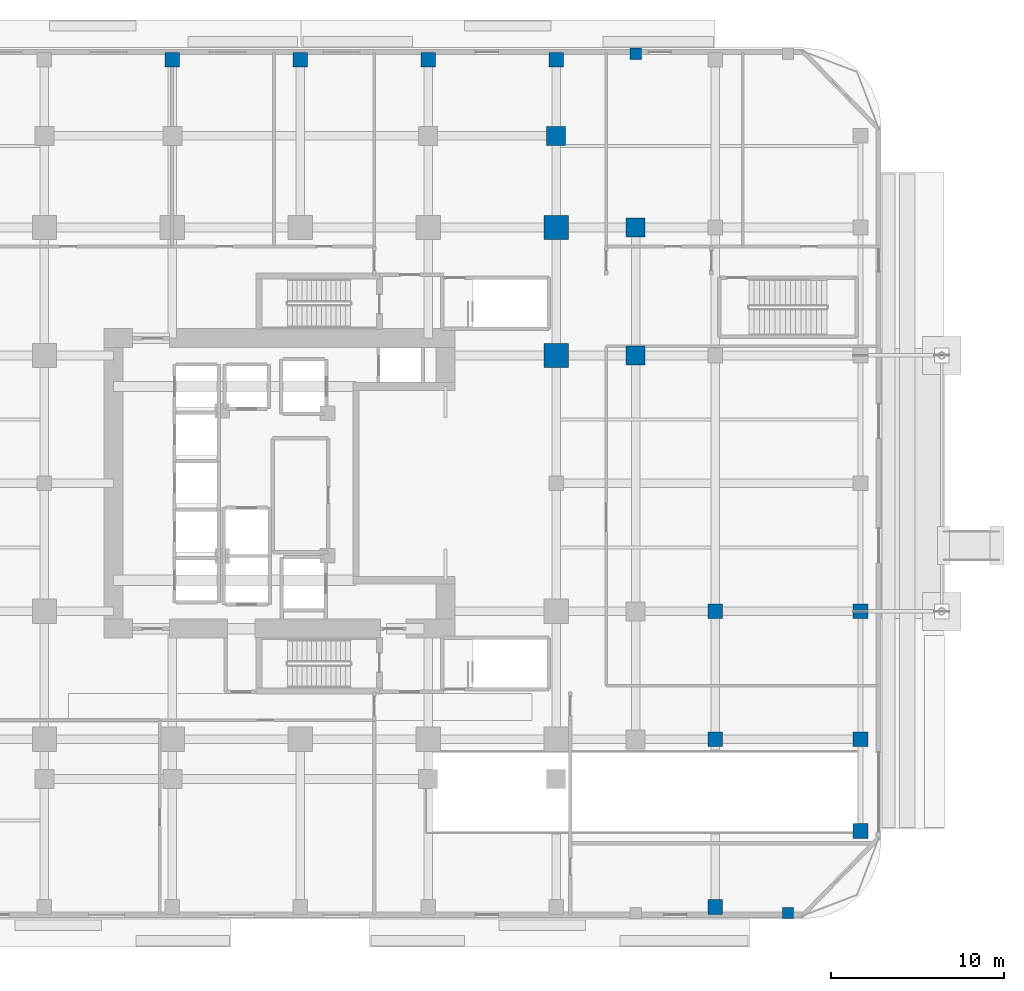
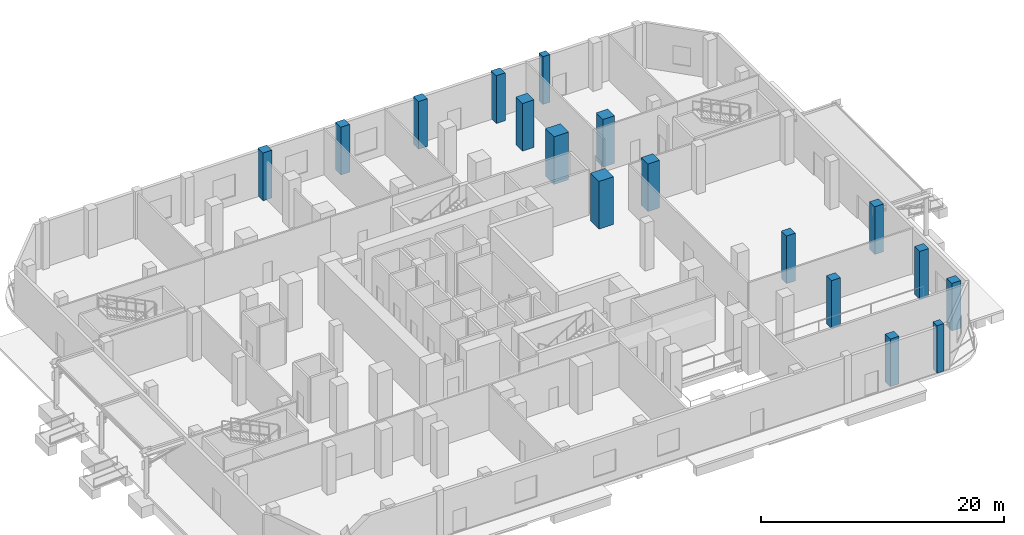
# One storey, part 5 of 24: 17 columns.
"""IFC4 building model written with IfcOpenShell, lengths in metres."""

from ifc_helpers import new_model, si_unit, direction, frame, origin, origin_2d, place, context, subcontext, project, spatial, rectangle, extrude, material, material_profile, profile_set, type_object, element, save


model = new_model("IFC4")

# Units and contexts
model_context = context("Model", 3, precision=1e-05, world=origin(), true_north=direction((0.0, 1.0)))
body_context = subcontext(model_context, "Body", "Model", "MODEL_VIEW")
ifc_project = project(units=[si_unit("LENGTHUNIT", "METRE"), si_unit("AREAUNIT", "SQUARE_METRE"), si_unit("VOLUMEUNIT", "CUBIC_METRE"), si_unit("PLANEANGLEUNIT", "RADIAN"), si_unit("MASSUNIT", "GRAM", prefix="KILO")], contexts=[model_context])

# Site, building, storey
site_placement = place(None, origin())
site = spatial("IfcSite", under=ifc_project, at=site_placement, CompositionType="ELEMENT")
building_placement = place(site_placement, origin())
building = spatial("IfcBuilding", under=site, at=building_placement, Name="Khorvyn Point Tower", CompositionType="ELEMENT")
storey_placement = place(building_placement, origin())
storey = spatial("IfcBuildingStorey", under=building, at=storey_placement, Name="L01", CompositionType="ELEMENT", Elevation=0.0)

# Columns
ifc_material_1 = material(Name="Concrete C40/50", Category="concrete")
ifc_material_profile_1 = material_profile(ifc_material_1, rectangle(XDim=0.85009765625, YDim=0.85009765625, at=origin_2d()))
ifc_profile_set_1 = profile_set([ifc_material_profile_1], Name="Concrete C40/50 RC850x850")
column_type_1 = type_object("IfcColumnType", Name="Concrete C40/50 Column RC850x850", PredefinedType="COLUMN", material=ifc_profile_set_1)
for number, where, z_axis, x_axis, name in (
    (1, (-7.39990234375, 24.5, 0.0), (0.0, 0.0, 1.0), (1.0, 0.0, 0.0), "PC-L01--074-+245"),
    (2, (0.0, 24.5, 0.0), (0.0, 0.0, 1.0), (1.0, 0.0, 0.0), "PC-L01-+000-+245"),
    (3, (7.39990234375, 24.5, 0.0), (0.0, 0.0, 1.0), (1.0, 0.0, 0.0), "PC-L01-+074-+245"),
    (4, (14.800048828125, 24.5, 0.0), (0.0, 0.0, 1.0), (1.0, 0.0, 0.0), "PC-L01-+148-+245"),
    (5, (24.0, -24.5, 0.0), (0.0, 0.0, 1.0), (1.0, 0.0, 0.0), "PC-L01-+240--245"),
    (6, (24.0, -14.800048828125, 0.0), (0.0, 0.0, 1.0), (1.0, 0.0, 0.0), "PC-L01-+240--148"),
    (7, (24.0, -7.39990234375, 0.0), (0.0, 0.0, 1.0), (1.0, 0.0, 0.0), "PC-L01-+240--074"),
    (8, (32.39990234375, -14.800048828125, 0.0), (0.0, 0.0, 1.0), (1.0, 0.0, 0.0), "PC-L01-+324--148"),
    (9, (32.39990234375, -7.39990234375, 0.0), (0.0, 0.0, 1.0), (1.0, 0.0, 0.0), "PC-L01-+324--074"),
    (10, (32.39990234375, -20.10009765625, 0.0), (0.0, 0.0, 1.0), (1.0, 0.0, 0.0), "PCR-L01-+32--20"),
):
    element("IfcColumn", number, at=place(storey_placement, frame(where, z_axis=z_axis, x_axis=x_axis)), inside=storey, type_object=column_type_1, Name=name, PredefinedType="COLUMN", context=body_context, shape_type="SweptSolid", body=[
        extrude(rectangle(XDim=0.85009765625, YDim=0.85009765625, at=origin_2d()), origin(), (0.0, 0.0, 1.0), 4.800048828125),
    ])
ifc_material_profile_2 = material_profile(ifc_material_1, rectangle(XDim=0.64990234375, YDim=0.64990234375, at=origin_2d()))
ifc_profile_set_2 = profile_set([ifc_material_profile_2], Name="Concrete C40/50 RC650x650")
column_type_2 = type_object("IfcColumnType", Name="Concrete C40/50 Pilaster RC650x650", PredefinedType="PILASTER", material=ifc_profile_set_2)
for number, where, z_axis, x_axis, name in (
    (11, (19.39990234375, 24.85009765625, 0.0), (0.0, 0.0, 1.0), (1.0, 0.0, 0.0), "L01 Colonnade Pilaster N"),
    (12, (28.199951171875, -24.85009765625, 0.0), (0.0, 0.0, 1.0), (1.0, 0.0, 0.0), "L01 Colonnade Pilaster S"),
):
    element("IfcColumn", number, at=place(storey_placement, frame(where, z_axis=z_axis, x_axis=x_axis)), inside=storey, type_object=column_type_2, Name=name, PredefinedType="PILASTER", context=body_context, shape_type="SweptSolid", body=[
        extrude(rectangle(XDim=0.64990234375, YDim=0.64990234375, at=origin_2d()), origin(), (0.0, 0.0, 1.0), 4.800048828125),
    ])
ifc_material_2 = material(Name="Concrete C45/55", Category="concrete")
ifc_material_profile_3 = material_profile(ifc_material_2, rectangle(XDim=1.10009765625, YDim=1.10009765625, at=origin_2d()))
ifc_profile_set_3 = profile_set([ifc_material_profile_3], Name="Concrete C45/55 RC1100x1100")
column_type_3 = type_object("IfcColumnType", Name="Concrete C45/55 Column RC1100x1100", PredefinedType="COLUMN", material=ifc_profile_set_3)
for number, where, z_axis, x_axis, name in (
    (13, (19.39990234375, 7.39990234375, 0.0), (0.0, 0.0, 1.0), (1.0, 0.0, 0.0), "L01 Intermediate Column ICE-7"),
    (14, (19.39990234375, 14.800048828125, 0.0), (0.0, 0.0, 1.0), (1.0, 0.0, 0.0), "L01 Intermediate Column ICE-14"),
    (15, (14.800048828125, 20.10009765625, 0.0), (0.0, 0.0, 1.0), (1.0, 0.0, 0.0), "L01 Intermediate Column ICN-14"),
):
    element("IfcColumn", number, at=place(storey_placement, frame(where, z_axis=z_axis, x_axis=x_axis)), inside=storey, type_object=column_type_3, Name=name, PredefinedType="COLUMN", context=body_context, shape_type="SweptSolid", body=[
        extrude(rectangle(XDim=1.10009765625, YDim=1.10009765625, at=origin_2d()), origin(), (0.0, 0.0, 1.0), 4.800048828125),
    ])
ifc_material_3 = material(Name="Concrete C50/60", Category="concrete")
ifc_material_profile_4 = material_profile(ifc_material_3, rectangle(XDim=1.39990234375, YDim=1.39990234375, at=origin_2d()))
ifc_profile_set_4 = profile_set([ifc_material_profile_4], Name="Concrete C50/60 RC1400x1400")
column_type_4 = type_object("IfcColumnType", Name="Concrete C50/60 Column RC1400x1400", PredefinedType="COLUMN", material=ifc_profile_set_4)
for number, where, z_axis, x_axis, name in (
    (16, (14.800048828125, 14.800048828125, 0.0), (0.0, 0.0, 1.0), (1.0, 0.0, 0.0), "L01 Mega-Column MC-10"),
    (17, (14.800048828125, 7.39990234375, 0.0), (0.0, 0.0, 1.0), (1.0, 0.0, 0.0), "L01 Mega-Column MC-14"),
):
    element("IfcColumn", number, at=place(storey_placement, frame(where, z_axis=z_axis, x_axis=x_axis)), inside=storey, type_object=column_type_4, Name=name, PredefinedType="COLUMN", context=body_context, shape_type="SweptSolid", body=[
        extrude(rectangle(XDim=1.39990234375, YDim=1.39990234375, at=origin_2d()), origin(), (0.0, 0.0, 1.0), 4.800048828125),
    ])

save(model, "model.ifc")
